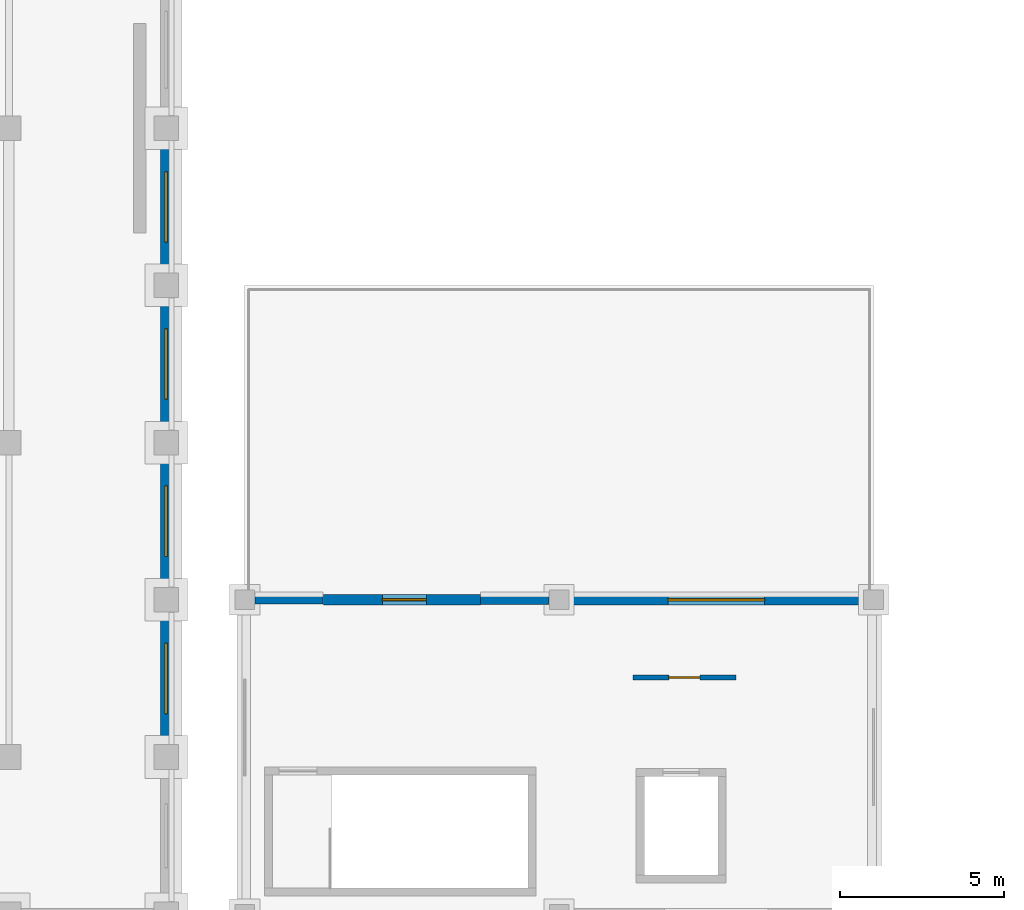
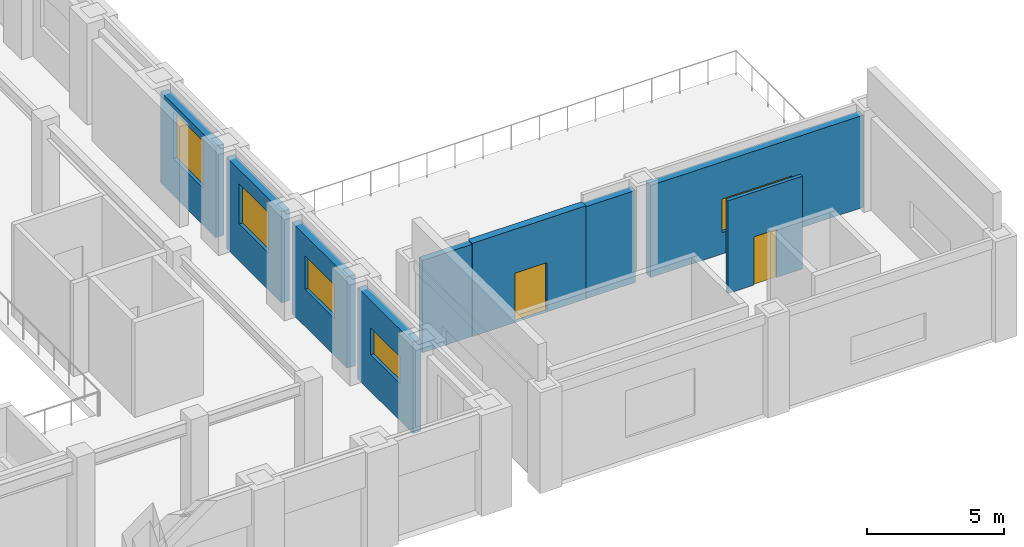
# One storey, part 28 of 46: 9 walls, 5 windows, 2 doors, 7 openings.
"""IFC4 building model written with IfcOpenShell, lengths in metres."""

import ifcopenshell
import ifcopenshell.guid

model = None  # the IFC model being written
_history = None  # IfcOwnerHistory: only IFC2X3 demands one
_inside = {}  # id of a spatial element -> (the spatial element, [elements in it])
_under = {}  # id of a project, library or spatial element -> (it, [spatial elements below it])
_declared = {}  # id of a project -> (the project, [libraries it declares])
_typed = {}  # id of a type object -> (the type object, [elements of that type])
_made_of = {}  # id of a material, layer set ... -> (it, [elements and type objects made of it])


def new_model(schema):
    """Start an empty IFC model of exactly this schema.

    Asked for "IFC4X3", IfcOpenShell would pick the latest addendum, in which some entities
    have other attributes; the version numbers below select the first issue.
    IFC2X3 requires an IfcOwnerHistory on every rooted entity: one is made here for all.
    """
    global model, _history
    if schema == "IFC4X3":
        model = ifcopenshell.file(schema_version=(4, 3, 0, 0))
    else:
        model = ifcopenshell.file(schema=schema)
    _inside.clear()
    _under.clear()
    _declared.clear()
    _typed.clear()
    _made_of.clear()
    _history = None
    if model.schema == "IFC2X3":
        org = make("IfcOrganization", Name="unknown")
        user = make(
            "IfcPersonAndOrganization",
            ThePerson=make("IfcPerson", FamilyName="unknown"),
            TheOrganization=org,
        )
        app = make(
            "IfcApplication",
            ApplicationDeveloper=org,
            Version="unknown",
            ApplicationFullName="unknown",
            ApplicationIdentifier="unknown",
        )
        _history = make(
            "IfcOwnerHistory",
            OwningUser=user,
            OwningApplication=app,
            ChangeAction="ADDED",
            CreationDate=0,
        )
    return model


def make(cls, **values):
    """One entity of the class cls with the attributes given. An attribute that is None is left unset."""
    return model.create_entity(
        cls, **{name: value for name, value in values.items() if value is not None}
    )


def rooted(cls, **values):
    """An entity with a GlobalId (a new one), such as an element, a storey or a relation."""
    return make(cls, GlobalId=ifcopenshell.guid.new(), OwnerHistory=_history, **values)


def si_unit(unit_type, name, prefix=None):
    """IfcSIUnit, for example si_unit("LENGTHUNIT", "METRE", prefix="MILLI")."""
    return make("IfcSIUnit", UnitType=unit_type, Prefix=prefix, Name=name)


def assignment(units):
    """IfcUnitAssignment: the units of a project."""
    return None if units is None else make("IfcUnitAssignment", Units=units)


def point(xyz):
    """IfcCartesianPoint."""
    return None if xyz is None else make("IfcCartesianPoint", Coordinates=xyz)


def direction(xyz):
    """IfcDirection."""
    return None if xyz is None else make("IfcDirection", DirectionRatios=xyz)


def frame(location, z_axis=None, x_axis=None):
    """IfcAxis2Placement3D, a coordinate frame: its origin and axes. An axis left out is left unset."""
    return make(
        "IfcAxis2Placement3D",
        Location=point(location),
        Axis=direction(z_axis),
        RefDirection=direction(x_axis),
    )


def frame_2d(location, x_axis=None):
    """IfcAxis2Placement2D, a coordinate frame in the plane: its origin and x axis."""
    return make(
        "IfcAxis2Placement2D", Location=point(location), RefDirection=direction(x_axis)
    )


def origin():
    """The frame at (0, 0, 0) with its axes left unset."""
    return frame((0.0, 0.0, 0.0))


def place(relative_to, where):
    """IfcLocalPlacement: puts the frame where relative to a parent placement (None: the world)."""
    return make(
        "IfcLocalPlacement", PlacementRelTo=relative_to, RelativePlacement=where
    )


def context(
    kind, dimensions, precision=None, world=None, true_north=None, identifier=None
):
    """IfcGeometricRepresentationContext, for example the 3D "Model" context."""
    return make(
        "IfcGeometricRepresentationContext",
        ContextIdentifier=identifier,
        ContextType=kind,
        CoordinateSpaceDimension=dimensions,
        Precision=precision,
        WorldCoordinateSystem=world,
        TrueNorth=true_north,
    )


def subcontext(parent, identifier, kind, view, scale=None):
    """IfcGeometricRepresentationSubContext, for example "Body" below "Model"."""
    return make(
        "IfcGeometricRepresentationSubContext",
        ContextIdentifier=identifier,
        ContextType=kind,
        ParentContext=parent,
        TargetScale=scale,
        TargetView=view,
    )


def project(units=None, contexts=None):
    """IfcProject with its units and contexts."""
    return rooted(
        "IfcProject",
        Name="project",
        RepresentationContexts=contexts,
        UnitsInContext=assignment(units),
    )


def spatial(cls, under=None, at=None, **own):
    """A site, building, storey or space (cls), placed at a placement, below another one or the project."""
    s = rooted(cls, ObjectPlacement=at, **own)
    if under is not None:
        _under.setdefault(under.id(), (under, []))[1].append(s)
    return s


def profile(cls, at=None, kind="AREA", **sizes):
    """A parametric profile (cls). Its sizes go by their IFC names, for example OverallWidth=200.0."""
    return make(cls, ProfileType=kind, Position=at, **sizes)


def rectangle(**sizes):
    """IfcRectangleProfileDef."""
    return profile("IfcRectangleProfileDef", **sizes)


def extrude(swept, where, along, depth):
    """IfcExtrudedAreaSolid: the profile swept, set in the frame where, extruded along a direction by depth."""
    return make(
        "IfcExtrudedAreaSolid",
        SweptArea=swept,
        Position=where,
        ExtrudedDirection=direction(along),
        Depth=depth,
    )


def shape(context_of_items, identifier, shape_type, items):
    """IfcShapeRepresentation: the items that make up one representation, for example the "Body"."""
    return make(
        "IfcShapeRepresentation",
        ContextOfItems=context_of_items,
        RepresentationIdentifier=identifier,
        RepresentationType=shape_type,
        Items=items,
    )


def material(Name=None, Category=None):
    """IfcMaterial."""
    return make("IfcMaterial", Name=Name, Category=Category)


def layer(
    of_material, thickness, ventilated=None, Name=None, Category=None, Priority=None
):
    """IfcMaterialLayer: one layer of a wall or slab, of a material (None: an air gap)."""
    return make(
        "IfcMaterialLayer",
        Material=of_material,
        LayerThickness=thickness,
        IsVentilated=ventilated,
        Name=Name,
        Category=Category,
        Priority=Priority,
    )


def layer_set(layers, Name=None):
    """IfcMaterialLayerSet."""
    return make("IfcMaterialLayerSet", MaterialLayers=layers, LayerSetName=Name)


def made_of(thing, what):
    """Note that an element or type object is made of a material, layer set ...; save() writes the relation."""
    if what is not None:
        _made_of.setdefault(what.id(), (what, []))[1].append(thing)
    return thing


def type_object(cls, material=None, **own):
    """A type object (cls), such as IfcWallType, which elements share."""
    return made_of(rooted(cls, **own), material)


def element(
    cls,
    number,
    at=None,
    inside=None,
    cuts=None,
    type_object=None,
    material=None,
    context=None,
    identifier="Body",
    shape_type=None,
    held_by="IfcProductDefinitionShape",
    body=None,
    shapes=None,
    **own,
):
    """One element of the class cls, such as IfcWall. Its Tag is "e" and its number.

    at: its placement. inside: the storey or other place that contains it. cuts: it is an
    opening in that element (IfcRelVoidsElement). A single representation is given by context,
    identifier, shape_type and body (its items); several are given by shapes. held_by: the class
    of the entity that holds the representations. save() writes the other relations.
    """
    e = rooted(cls, Tag="e%d" % number, ObjectPlacement=at, **own)
    if body is not None:
        shapes = [shape(context, identifier, shape_type, body)]
    if shapes is not None:
        e.Representation = make(held_by, Representations=shapes)
    if inside is not None:
        _inside.setdefault(inside.id(), (inside, []))[1].append(e)
    if cuts is not None:
        rooted(
            "IfcRelVoidsElement", RelatingBuildingElement=cuts, RelatedOpeningElement=e
        )
    if type_object is not None:
        _typed.setdefault(type_object.id(), (type_object, []))[1].append(e)
    return made_of(e, material)


def fill(opening, filler):
    """IfcRelFillsElement: the door or window that sits in an opening."""
    return rooted(
        "IfcRelFillsElement",
        RelatingOpeningElement=opening,
        RelatedBuildingElement=filler,
    )


def aggregate(whole, parts):
    """IfcRelAggregates: a whole, such as a stair, and the parts it consists of."""
    return rooted("IfcRelAggregates", RelatingObject=whole, RelatedObjects=parts)


def save(model, path):
    """Write the relations noted so far, then the file.

    IfcRelAggregates (storeys below a building ...), IfcRelContainedInSpatialStructure (elements
    in a storey), IfcRelDefinesByType, IfcRelAssociatesMaterial and IfcRelDeclares: one each for
    every whole, place, type object, material and project.
    """
    for whole, parts in _under.values():
        aggregate(whole, parts)
    for where, things in _inside.values():
        rooted(
            "IfcRelContainedInSpatialStructure",
            RelatedElements=things,
            RelatingStructure=where,
        )
    for kind, things in _typed.values():
        rooted("IfcRelDefinesByType", RelatedObjects=things, RelatingType=kind)
    for what, things in _made_of.values():
        rooted("IfcRelAssociatesMaterial", RelatedObjects=things, RelatingMaterial=what)
    for by, libraries in _declared.values():
        rooted("IfcRelDeclares", RelatingContext=by, RelatedDefinitions=libraries)
    model.write(path)


model = new_model("IFC4")

# Units and contexts
model_context = context("Model", 3, precision=1e-05, world=origin(), true_north=direction((0.0, 1.0)))
body_context = subcontext(model_context, "Body", "Model", "MODEL_VIEW")
ifc_project = project(units=[si_unit("LENGTHUNIT", "METRE"), si_unit("AREAUNIT", "SQUARE_METRE"), si_unit("VOLUMEUNIT", "CUBIC_METRE"), si_unit("PLANEANGLEUNIT", "RADIAN"), si_unit("MASSUNIT", "GRAM", prefix="KILO")], contexts=[model_context])

# Site, building, storey
site_placement = place(None, origin())
site = spatial("IfcSite", under=ifc_project, at=site_placement, CompositionType="ELEMENT")
building_placement = place(site_placement, origin())
building = spatial("IfcBuilding", under=site, at=building_placement, Name="Mavantir Sound Aquarium", CompositionType="ELEMENT")
storey_placement = place(building_placement, frame((0.0, 0.0, 15.300048828125)))
storey = spatial("IfcBuildingStorey", under=building, at=storey_placement, Name="L03", CompositionType="ELEMENT", Elevation=15.300048828125)

# Wall, opening, door
ifc_material_1 = material(Name="Coral-Buff Architectural Precast Concrete C40/50", Category="concrete")
ifc_layer_1 = layer(ifc_material_1, 0.31005859375, Name="Coral-Buff Architectural Precast Concrete C40/50")
ifc_layer_set_1 = layer_set([ifc_layer_1], Name="Coral-Buff Architectural Precast Concrete C40/50")
wall_type_1 = type_object("IfcWallType", Name="EW-CORAL-310", PredefinedType="SOLIDWALL", material=ifc_layer_set_1)
wall_1_placement = place(storey_placement, frame((43.199951171875, 50.39990234375, 0.0), z_axis=(0.0, 0.0, 1.0), x_axis=(-1.0, 0.0, 0.0)))
wall_1 = element("IfcWall", 1, at=wall_1_placement, inside=storey, type_object=wall_type_1, Name="L03 terrace portal wall 13", PredefinedType="SOLIDWALL", context=body_context, shape_type="SweptSolid", body=[
    extrude(rectangle(XDim=4.800048828125, YDim=0.31005859375, at=frame_2d((2.39990234375, 0.0))), origin(), (0.0, 0.0, 1.0), 4.159912109375),
])
opening_1_placement = place(wall_1_placement, frame((3.0, 0.0, 0.0), z_axis=(0.0, 0.0, 1.0), x_axis=(-1.0, 0.0, 0.0)))
opening_1 = element("IfcOpeningElement", 2, at=opening_1_placement, cuts=wall_1, Name="Opening ETD-02", PredefinedType="OPENING", context=body_context, shape_type="SweptSolid", body=[
    extrude(rectangle(XDim=1.35009765625, YDim=2.199951171875, at=frame_2d((0.675048828125, 1.10009765625))), frame((0.0, 0.1650390625, 0.0), z_axis=(0.0, -1.0, 0.0), x_axis=(1.0, 0.0, 0.0)), (0.0, 0.0, 1.0), 0.330078125),
])
ifc_material_2 = material(Name="Marine-Grade Anodised Aluminium and Laminated Glass", Category="aluminium")
door_type_1 = type_object("IfcDoorType", Name="DR-TER-135", OperationType="NOTDEFINED", PredefinedType="DOOR", material=ifc_material_2)
door_1_placement = place(opening_1_placement, origin())
door_1 = element("IfcDoor", 3, at=door_1_placement, inside=storey, type_object=door_type_1, Name="L03 terrace access door 13", OperationType="SINGLE_SWING_RIGHT", OverallHeight=2.199951171875, OverallWidth=1.35009765625, PredefinedType="DOOR", context=body_context, shape_type="SweptSolid", body=[
    extrude(rectangle(XDim=1.35009765625, YDim=2.199951171875, at=frame_2d((0.675048828125, 1.10009765625))), frame((0.0, 0.02490234375, 0.0), z_axis=(0.0, -1.0, 0.0), x_axis=(1.0, 0.0, 0.0)), (0.0, 0.0, 1.0), 0.050048828125),
])
fill(opening_1, door_1)

# Wall, opening, window
wall_2_placement = place(storey_placement, frame((54.89208984375, 50.39990234375, 0.0), z_axis=(0.0, 0.0, 1.0), x_axis=(-1.0, 0.0, 0.0)))
wall_2 = element("IfcWall", 4, at=wall_2_placement, inside=storey, type_object=wall_type_1, Name="L03 exterior facade wall EW-02 332", PredefinedType="SOLIDWALL", context=body_context, shape_type="SweptSolid", body=[
    extrude(rectangle(XDim=8.984130859375, YDim=0.31005859375, at=frame_2d((4.4921875, 0.0))), origin(), (0.0, 0.0, 1.0), 4.1083984375),
])
opening_2_placement = place(wall_2_placement, frame((3.01708984375, 0.0, 0.949951171875)))
opening_2 = element("IfcOpeningElement", 5, at=opening_2_placement, cuts=wall_2, Name="Opening W-42", PredefinedType="OPENING", context=body_context, shape_type="SweptSolid", body=[
    extrude(rectangle(XDim=2.949951171875, YDim=1.5, at=frame_2d((1.47509765625, 0.75))), frame((0.0, 0.1650390625, 0.0), z_axis=(0.0, -1.0, 0.0), x_axis=(1.0, 0.0, 0.0)), (0.0, 0.0, 1.0), 0.330078125),
])
ifc_material_3 = material(Name="Thermally Broken Aluminium and Low-E Glass", Category="aluminium")
window_type_1 = type_object("IfcWindowType", Name="WIN-EXT-42", PartitioningType="TRIPLE_PANEL_VERTICAL", PredefinedType="WINDOW", material=ifc_material_3)
window_1_placement = place(opening_2_placement, origin())
window_1 = element("IfcWindow", 6, at=window_1_placement, inside=storey, type_object=window_type_1, Name="L03 facade window W-42 138", OverallHeight=1.5, OverallWidth=2.949951171875, PartitioningType="SINGLE_PANEL", PredefinedType="WINDOW", context=body_context, shape_type="SweptSolid", body=[
    extrude(rectangle(XDim=2.949951171875, YDim=1.5, at=frame_2d((1.47509765625, 0.75))), frame((0.0, 0.030029296875, 0.0), z_axis=(0.0, -1.0, 0.0), x_axis=(1.0, 0.0, 0.0)), (0.0, 0.0, 1.0), 0.06005859375),
])
fill(opening_2, window_1)

ifc_layer_2 = layer(ifc_material_1, 0.340087890625, Name="Coral-Buff Architectural Precast Concrete C40/50")
ifc_layer_set_2 = layer_set([ifc_layer_2], Name="Coral-Buff Architectural Precast Concrete C40/50")
wall_type_2 = type_object("IfcWallType", Name="EW-CORAL-340", PredefinedType="SOLIDWALL", material=ifc_layer_set_2)
wall_3_placement = place(storey_placement, frame((33.60009765625, 45.98291015625, 0.0), z_axis=(0.0, 0.0, 1.0), x_axis=(0.0, 1.0, 0.0)))
wall_3 = element("IfcWall", 7, at=wall_3_placement, inside=storey, type_object=wall_type_2, Name="L03 exterior facade wall EW-01 302", PredefinedType="SOLIDWALL", context=body_context, shape_type="SweptSolid", body=[
    extrude(rectangle(XDim=4.0341796875, YDim=0.340087890625, at=frame_2d((2.01708984375, 0.0))), origin(), (0.0, 0.0, 1.0), 4.074951171875),
])
opening_3_placement = place(wall_3_placement, frame((0.94189453125, 0.0, 1.64990234375)))
opening_3 = element("IfcOpeningElement", 8, at=opening_3_placement, cuts=wall_3, Name="Opening W-25", PredefinedType="OPENING", context=body_context, shape_type="SweptSolid", body=[
    extrude(rectangle(XDim=2.14990234375, YDim=1.199951171875, at=frame_2d((1.074951171875, 0.60009765625))), frame((0.0, 0.18017578125, 0.0), z_axis=(0.0, -1.0, 0.0), x_axis=(1.0, 0.0, 0.0)), (0.0, 0.0, 1.0), 0.360107421875),
])
window_type_2 = type_object("IfcWindowType", Name="WIN-EXT-25", PartitioningType="DOUBLE_PANEL_VERTICAL", PredefinedType="WINDOW", material=ifc_material_3)
window_2_placement = place(opening_3_placement, origin())
window_2 = element("IfcWindow", 9, at=window_2_placement, inside=storey, type_object=window_type_2, Name="L03 facade window W-25 121", OverallHeight=1.199951171875, OverallWidth=2.14990234375, PartitioningType="SINGLE_PANEL", PredefinedType="WINDOW", context=body_context, shape_type="SweptSolid", body=[
    extrude(rectangle(XDim=2.14990234375, YDim=1.199951171875, at=frame_2d((1.074951171875, 0.60009765625))), frame((0.0, 0.030029296875, 0.0), z_axis=(0.0, -1.0, 0.0), x_axis=(1.0, 0.0, 0.0)), (0.0, 0.0, 1.0), 0.06005859375),
])
fill(opening_3, window_2)

wall_4_placement = place(storey_placement, frame((33.60009765625, 50.782958984375, 0.0), z_axis=(0.0, 0.0, 1.0), x_axis=(0.0, 1.0, 0.0)))
wall_4 = element("IfcWall", 10, at=wall_4_placement, inside=storey, type_object=wall_type_2, Name="L03 exterior facade wall EW-01 303", PredefinedType="SOLIDWALL", context=body_context, shape_type="SweptSolid", body=[
    extrude(rectangle(XDim=4.033935546875, YDim=0.340087890625, at=frame_2d((2.01708984375, 0.0))), origin(), (0.0, 0.0, 1.0), 4.074951171875),
])
opening_4_placement = place(wall_4_placement, frame((0.94189453125, 0.0, 1.64990234375)))
opening_4 = element("IfcOpeningElement", 11, at=opening_4_placement, cuts=wall_4, Name="Opening W-26", PredefinedType="OPENING", context=body_context, shape_type="SweptSolid", body=[
    extrude(rectangle(XDim=2.14990234375, YDim=1.5, at=frame_2d((1.074951171875, 0.75))), frame((0.0, 0.18017578125, 0.0), z_axis=(0.0, -1.0, 0.0), x_axis=(1.0, 0.0, 0.0)), (0.0, 0.0, 1.0), 0.360107421875),
])
window_type_3 = type_object("IfcWindowType", Name="WIN-EXT-26", PartitioningType="DOUBLE_PANEL_VERTICAL", PredefinedType="WINDOW", material=ifc_material_3)
window_3_placement = place(opening_4_placement, origin())
window_3 = element("IfcWindow", 12, at=window_3_placement, inside=storey, type_object=window_type_3, Name="L03 facade window W-26 122", OverallHeight=1.5, OverallWidth=2.14990234375, PartitioningType="SINGLE_PANEL", PredefinedType="WINDOW", context=body_context, shape_type="SweptSolid", body=[
    extrude(rectangle(XDim=2.14990234375, YDim=1.5, at=frame_2d((1.074951171875, 0.75))), frame((0.0, 0.030029296875, 0.0), z_axis=(0.0, -1.0, 0.0), x_axis=(1.0, 0.0, 0.0)), (0.0, 0.0, 1.0), 0.06005859375),
])
fill(opening_4, window_3)

wall_5_placement = place(storey_placement, frame((33.60009765625, 55.5830078125, 0.0), z_axis=(0.0, 0.0, 1.0), x_axis=(0.0, 1.0, 0.0)))
wall_5 = element("IfcWall", 13, at=wall_5_placement, inside=storey, type_object=wall_type_2, Name="L03 exterior facade wall EW-01 304", PredefinedType="SOLIDWALL", context=body_context, shape_type="SweptSolid", body=[
    extrude(rectangle(XDim=4.033935546875, YDim=0.340087890625, at=frame_2d((2.01708984375, 0.0))), origin(), (0.0, 0.0, 1.0), 4.074951171875),
])
opening_5_placement = place(wall_5_placement, frame((0.94189453125, 0.0, 1.64990234375)))
opening_5 = element("IfcOpeningElement", 14, at=opening_5_placement, cuts=wall_5, Name="Opening W-27", PredefinedType="OPENING", context=body_context, shape_type="SweptSolid", body=[
    extrude(rectangle(XDim=2.14990234375, YDim=1.800048828125, at=frame_2d((1.074951171875, 0.89990234375))), frame((0.0, 0.18017578125, 0.0), z_axis=(0.0, -1.0, 0.0), x_axis=(1.0, 0.0, 0.0)), (0.0, 0.0, 1.0), 0.360107421875),
])
window_type_4 = type_object("IfcWindowType", Name="WIN-EXT-27", PartitioningType="DOUBLE_PANEL_VERTICAL", PredefinedType="WINDOW", material=ifc_material_3)
window_4_placement = place(opening_5_placement, origin())
window_4 = element("IfcWindow", 15, at=window_4_placement, inside=storey, type_object=window_type_4, Name="L03 facade window W-27 123", OverallHeight=1.800048828125, OverallWidth=2.14990234375, PartitioningType="SINGLE_PANEL", PredefinedType="WINDOW", context=body_context, shape_type="SweptSolid", body=[
    extrude(rectangle(XDim=2.14990234375, YDim=1.800048828125, at=frame_2d((1.074951171875, 0.89990234375))), frame((0.0, 0.030029296875, 0.0), z_axis=(0.0, -1.0, 0.0), x_axis=(1.0, 0.0, 0.0)), (0.0, 0.0, 1.0), 0.06005859375),
])
fill(opening_5, window_4)

wall_6_placement = place(storey_placement, frame((33.60009765625, 60.383056640625, 0.0), z_axis=(0.0, 0.0, 1.0), x_axis=(0.0, 1.0, 0.0)))
wall_6 = element("IfcWall", 16, at=wall_6_placement, inside=storey, type_object=wall_type_2, Name="L03 exterior facade wall EW-01 305", PredefinedType="SOLIDWALL", context=body_context, shape_type="SweptSolid", body=[
    extrude(rectangle(XDim=4.033935546875, YDim=0.340087890625, at=frame_2d((2.01708984375, 0.0))), origin(), (0.0, 0.0, 1.0), 4.074951171875),
])
opening_6_placement = place(wall_6_placement, frame((0.94189453125, 0.0, 1.64990234375)))
opening_6 = element("IfcOpeningElement", 17, at=opening_6_placement, cuts=wall_6, Name="Opening W-28", PredefinedType="OPENING", context=body_context, shape_type="SweptSolid", body=[
    extrude(rectangle(XDim=2.14990234375, YDim=2.10009765625, at=frame_2d((1.074951171875, 1.050048828125))), frame((0.0, 0.18017578125, 0.0), z_axis=(0.0, -1.0, 0.0), x_axis=(1.0, 0.0, 0.0)), (0.0, 0.0, 1.0), 0.360107421875),
])
window_type_5 = type_object("IfcWindowType", Name="WIN-EXT-28", PartitioningType="DOUBLE_PANEL_VERTICAL", PredefinedType="WINDOW", material=ifc_material_3)
window_5_placement = place(opening_6_placement, origin())
window_5 = element("IfcWindow", 18, at=window_5_placement, inside=storey, type_object=window_type_5, Name="L03 facade window W-28 124", OverallHeight=2.10009765625, OverallWidth=2.14990234375, PartitioningType="SINGLE_PANEL", PredefinedType="WINDOW", context=body_context, shape_type="SweptSolid", body=[
    extrude(rectangle(XDim=2.14990234375, YDim=2.10009765625, at=frame_2d((1.074951171875, 1.050048828125))), frame((0.0, 0.030029296875, 0.0), z_axis=(0.0, -1.0, 0.0), x_axis=(1.0, 0.0, 0.0)), (0.0, 0.0, 1.0), 0.06005859375),
])
fill(opening_6, window_5)

# Walls
ifc_material_4 = material(Name="Cerulean Glazed Terracotta Rainscreen on Concrete C40/50", Category="masonry")
ifc_layer_3 = layer(ifc_material_4, 0.27001953125, Name="Cerulean Glazed Terracotta Rainscreen on Concrete C40/50")
ifc_layer_set_3 = layer_set([ifc_layer_3], Name="Cerulean Glazed Terracotta Rainscreen on Concrete C40/50")
wall_type_3 = type_object("IfcWallType", Name="EW-TERRA-270", PredefinedType="SOLIDWALL", material=ifc_layer_set_3)
wall_7_placement = place(storey_placement, frame((38.39501953125, 50.39990234375, 0.0), z_axis=(0.0, 0.0, 1.0), x_axis=(-1.0, 0.0, 0.0)))
element("IfcWall", 19, at=wall_7_placement, inside=storey, type_object=wall_type_3, Name="L03 exterior facade wall EW-04 334", PredefinedType="SOLIDWALL", context=body_context, shape_type="SweptSolid", body=[
    extrude(rectangle(XDim=2.0869140625, YDim=0.27001953125, at=frame_2d((1.04345703125, 0.0))), origin(), (0.0, 0.0, 1.0), 4.1083984375),
])
ifc_material_5 = material(Name="Turquoise Glazed Terracotta Rainscreen on Concrete C40/50", Category="masonry")
ifc_layer_4 = layer(ifc_material_5, 0.2900390625, Name="Turquoise Glazed Terracotta Rainscreen on Concrete C40/50")
ifc_layer_set_4 = layer_set([ifc_layer_4], Name="Turquoise Glazed Terracotta Rainscreen on Concrete C40/50")
wall_type_4 = type_object("IfcWallType", Name="EW-TERRA-290", PredefinedType="SOLIDWALL", material=ifc_layer_set_4)
wall_8_placement = place(storey_placement, frame((45.2919921875, 50.39990234375, 0.0), z_axis=(0.0, 0.0, 1.0), x_axis=(-1.0, 0.0, 0.0)))
element("IfcWall", 20, at=wall_8_placement, inside=storey, type_object=wall_type_4, Name="L03 exterior facade wall EW-03 333", PredefinedType="SOLIDWALL", context=body_context, shape_type="SweptSolid", body=[
    extrude(rectangle(XDim=2.0869140625, YDim=0.2900390625, at=frame_2d((1.04345703125, 0.0))), origin(), (0.0, 0.0, 1.0), 4.1083984375),
])

# Wall, opening, door
ifc_material_6 = material(Name="Moisture-Resistant Marine Gypsum Partition", Category="gypsum")
ifc_layer_5 = layer(ifc_material_6, 0.14990234375, Name="Moisture-Resistant Marine Gypsum Partition")
ifc_layer_set_5 = layer_set([ifc_layer_5], Name="Moisture-Resistant Marine Gypsum Partition")
wall_type_5 = type_object("IfcWallType", Name="IW-PART-150", PredefinedType="PARTITIONING", material=ifc_layer_set_5)
wall_9_placement = place(storey_placement, frame((47.85009765625, 48.02490234375, 0.0), z_axis=(0.0, 0.0, 1.0), x_axis=(1.0, 0.0, 0.0)))
wall_9 = element("IfcWall", 21, at=wall_9_placement, inside=storey, type_object=wall_type_5, Name="L03 Coastal Sanctuary Barrel-Vault Pavilion Room entry partition", PredefinedType="PARTITIONING", context=body_context, shape_type="SweptSolid", body=[
    extrude(rectangle(XDim=3.14990234375, YDim=0.14990234375, at=frame_2d((1.574951171875, 0.0))), origin(), (0.0, 0.0, 1.0), 4.139892578125),
])
opening_7_placement = place(wall_9_placement, frame((1.10009765625, 0.0, 0.0)))
opening_7 = element("IfcOpeningElement", 22, at=opening_7_placement, cuts=wall_9, Name="Opening ID-02", PredefinedType="OPENING", context=body_context, shape_type="SweptSolid", body=[
    extrude(rectangle(XDim=0.949951171875, YDim=2.14990234375, at=frame_2d((0.47509765625, 1.074951171875))), frame((0.0, 0.0849609375, 0.0), z_axis=(0.0, -1.0, 0.0), x_axis=(1.0, 0.0, 0.0)), (0.0, 0.0, 1.0), 0.169921875),
])
ifc_material_7 = material(Name="Solid-Core Marine Hardwood and Vision-Panel Door", Category="wood")
door_type_2 = type_object("IfcDoorType", Name="DR-INT-02", OperationType="NOTDEFINED", PredefinedType="DOOR", material=ifc_material_7)
door_2_placement = place(opening_7_placement, origin())
door_2 = element("IfcDoor", 23, at=door_2_placement, inside=storey, type_object=door_type_2, Name="Coastal Sanctuary Barrel-Vault Pavilion Room door", OperationType="SINGLE_SWING_LEFT", OverallHeight=2.14990234375, OverallWidth=0.949951171875, PredefinedType="DOOR", context=body_context, shape_type="SweptSolid", body=[
    extrude(rectangle(XDim=0.949951171875, YDim=2.14990234375, at=frame_2d((0.47509765625, 1.074951171875))), frame((0.0, 0.02490234375, 0.0), z_axis=(0.0, -1.0, 0.0), x_axis=(1.0, 0.0, 0.0)), (0.0, 0.0, 1.0), 0.050048828125),
])
fill(opening_7, door_2)

save(model, "model.ifc")
